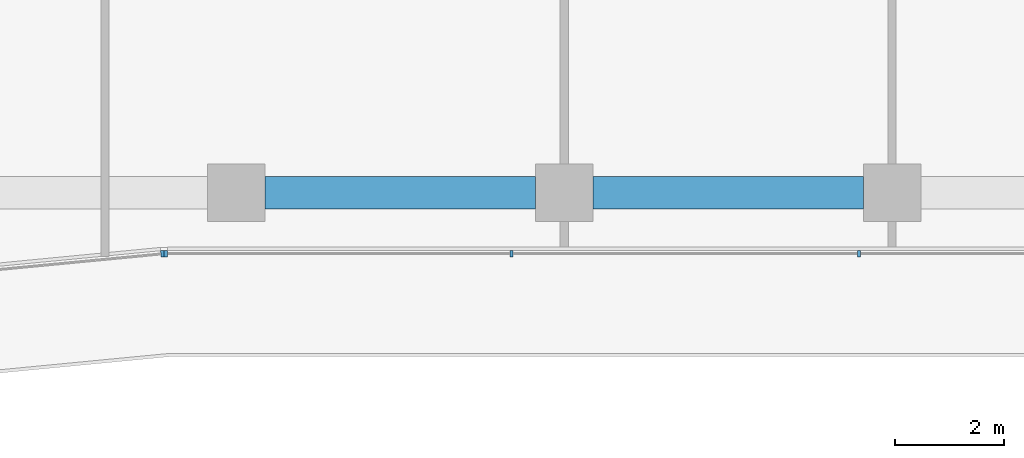
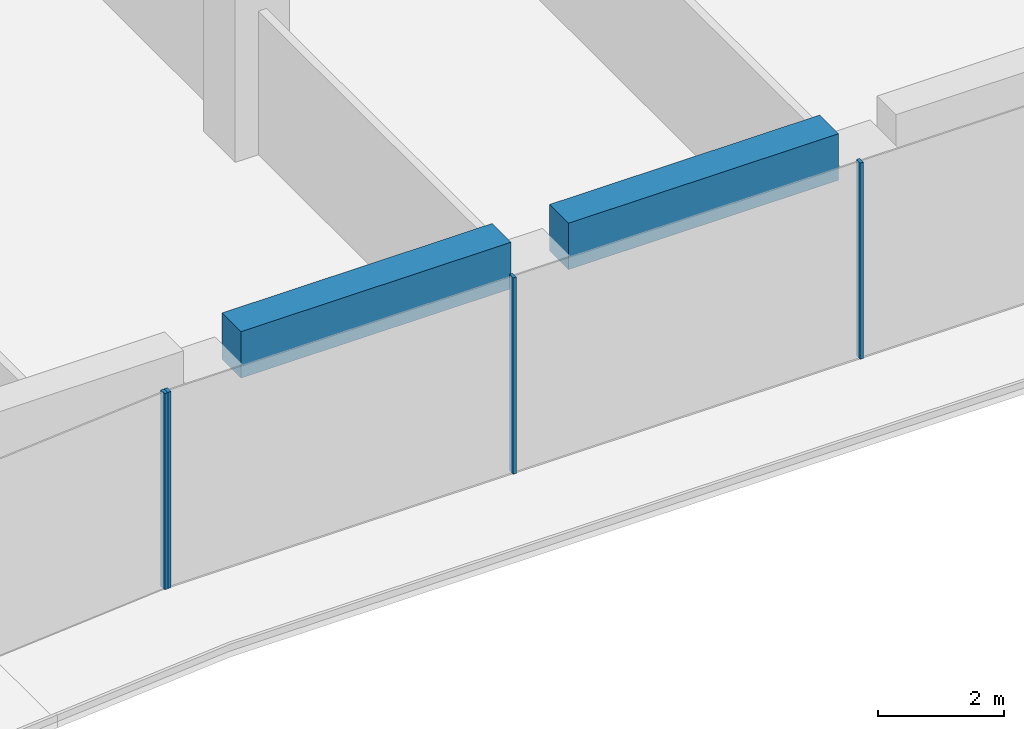
# One storey, part 6 of 30: 4 members, 2 beams, 2 elements without a shape of their own.
"""IFC4 building model written with IfcOpenShell, lengths in metres."""

import ifcopenshell
import ifcopenshell.guid

model = None  # the IFC model being written
_history = None  # IfcOwnerHistory: only IFC2X3 demands one
_inside = {}  # id of a spatial element -> (the spatial element, [elements in it])
_under = {}  # id of a project, library or spatial element -> (it, [spatial elements below it])
_declared = {}  # id of a project -> (the project, [libraries it declares])
_typed = {}  # id of a type object -> (the type object, [elements of that type])
_made_of = {}  # id of a material, layer set ... -> (it, [elements and type objects made of it])


def new_model(schema):
    """Start an empty IFC model of exactly this schema.

    Asked for "IFC4X3", IfcOpenShell would pick the latest addendum, in which some entities
    have other attributes; the version numbers below select the first issue.
    IFC2X3 requires an IfcOwnerHistory on every rooted entity: one is made here for all.
    """
    global model, _history
    if schema == "IFC4X3":
        model = ifcopenshell.file(schema_version=(4, 3, 0, 0))
    else:
        model = ifcopenshell.file(schema=schema)
    _inside.clear()
    _under.clear()
    _declared.clear()
    _typed.clear()
    _made_of.clear()
    _history = None
    if model.schema == "IFC2X3":
        org = make("IfcOrganization", Name="unknown")
        user = make(
            "IfcPersonAndOrganization",
            ThePerson=make("IfcPerson", FamilyName="unknown"),
            TheOrganization=org,
        )
        app = make(
            "IfcApplication",
            ApplicationDeveloper=org,
            Version="unknown",
            ApplicationFullName="unknown",
            ApplicationIdentifier="unknown",
        )
        _history = make(
            "IfcOwnerHistory",
            OwningUser=user,
            OwningApplication=app,
            ChangeAction="ADDED",
            CreationDate=0,
        )
    return model


def make(cls, **values):
    """One entity of the class cls with the attributes given. An attribute that is None is left unset."""
    return model.create_entity(
        cls, **{name: value for name, value in values.items() if value is not None}
    )


def rooted(cls, **values):
    """An entity with a GlobalId (a new one), such as an element, a storey or a relation."""
    return make(cls, GlobalId=ifcopenshell.guid.new(), OwnerHistory=_history, **values)


def si_unit(unit_type, name, prefix=None):
    """IfcSIUnit, for example si_unit("LENGTHUNIT", "METRE", prefix="MILLI")."""
    return make("IfcSIUnit", UnitType=unit_type, Prefix=prefix, Name=name)


def assignment(units):
    """IfcUnitAssignment: the units of a project."""
    return None if units is None else make("IfcUnitAssignment", Units=units)


def point(xyz):
    """IfcCartesianPoint."""
    return None if xyz is None else make("IfcCartesianPoint", Coordinates=xyz)


def direction(xyz):
    """IfcDirection."""
    return None if xyz is None else make("IfcDirection", DirectionRatios=xyz)


def frame(location, z_axis=None, x_axis=None):
    """IfcAxis2Placement3D, a coordinate frame: its origin and axes. An axis left out is left unset."""
    return make(
        "IfcAxis2Placement3D",
        Location=point(location),
        Axis=direction(z_axis),
        RefDirection=direction(x_axis),
    )


def frame_2d(location, x_axis=None):
    """IfcAxis2Placement2D, a coordinate frame in the plane: its origin and x axis."""
    return make(
        "IfcAxis2Placement2D", Location=point(location), RefDirection=direction(x_axis)
    )


def origin():
    """The frame at (0, 0, 0) with its axes left unset."""
    return frame((0.0, 0.0, 0.0))


def origin_2d():
    """The frame at (0, 0) in the plane with its x axis left unset."""
    return frame_2d((0.0, 0.0))


def place(relative_to, where):
    """IfcLocalPlacement: puts the frame where relative to a parent placement (None: the world)."""
    return make(
        "IfcLocalPlacement", PlacementRelTo=relative_to, RelativePlacement=where
    )


def context(
    kind, dimensions, precision=None, world=None, true_north=None, identifier=None
):
    """IfcGeometricRepresentationContext, for example the 3D "Model" context."""
    return make(
        "IfcGeometricRepresentationContext",
        ContextIdentifier=identifier,
        ContextType=kind,
        CoordinateSpaceDimension=dimensions,
        Precision=precision,
        WorldCoordinateSystem=world,
        TrueNorth=true_north,
    )


def subcontext(parent, identifier, kind, view, scale=None):
    """IfcGeometricRepresentationSubContext, for example "Body" below "Model"."""
    return make(
        "IfcGeometricRepresentationSubContext",
        ContextIdentifier=identifier,
        ContextType=kind,
        ParentContext=parent,
        TargetScale=scale,
        TargetView=view,
    )


def project(units=None, contexts=None):
    """IfcProject with its units and contexts."""
    return rooted(
        "IfcProject",
        Name="project",
        RepresentationContexts=contexts,
        UnitsInContext=assignment(units),
    )


def spatial(cls, under=None, at=None, **own):
    """A site, building, storey or space (cls), placed at a placement, below another one or the project."""
    s = rooted(cls, ObjectPlacement=at, **own)
    if under is not None:
        _under.setdefault(under.id(), (under, []))[1].append(s)
    return s


def profile(cls, at=None, kind="AREA", **sizes):
    """A parametric profile (cls). Its sizes go by their IFC names, for example OverallWidth=200.0."""
    return make(cls, ProfileType=kind, Position=at, **sizes)


def rectangle(**sizes):
    """IfcRectangleProfileDef."""
    return profile("IfcRectangleProfileDef", **sizes)


def extrude(swept, where, along, depth):
    """IfcExtrudedAreaSolid: the profile swept, set in the frame where, extruded along a direction by depth."""
    return make(
        "IfcExtrudedAreaSolid",
        SweptArea=swept,
        Position=where,
        ExtrudedDirection=direction(along),
        Depth=depth,
    )


def shape(context_of_items, identifier, shape_type, items):
    """IfcShapeRepresentation: the items that make up one representation, for example the "Body"."""
    return make(
        "IfcShapeRepresentation",
        ContextOfItems=context_of_items,
        RepresentationIdentifier=identifier,
        RepresentationType=shape_type,
        Items=items,
    )


def material(Name=None, Category=None):
    """IfcMaterial."""
    return make("IfcMaterial", Name=Name, Category=Category)


def layer(
    of_material, thickness, ventilated=None, Name=None, Category=None, Priority=None
):
    """IfcMaterialLayer: one layer of a wall or slab, of a material (None: an air gap)."""
    return make(
        "IfcMaterialLayer",
        Material=of_material,
        LayerThickness=thickness,
        IsVentilated=ventilated,
        Name=Name,
        Category=Category,
        Priority=Priority,
    )


def layer_set(layers, Name=None):
    """IfcMaterialLayerSet."""
    return make("IfcMaterialLayerSet", MaterialLayers=layers, LayerSetName=Name)


def material_profile(
    of_material, cross_section, Name=None, Category=None, Priority=None
):
    """IfcMaterialProfile: a cross section and its material."""
    return make(
        "IfcMaterialProfile",
        Name=Name,
        Material=of_material,
        Profile=cross_section,
        Priority=Priority,
        Category=Category,
    )


def profile_set(profiles, Name=None, composite=None):
    """IfcMaterialProfileSet."""
    return make(
        "IfcMaterialProfileSet",
        Name=Name,
        MaterialProfiles=profiles,
        CompositeProfile=composite,
    )


def made_of(thing, what):
    """Note that an element or type object is made of a material, layer set ...; save() writes the relation."""
    if what is not None:
        _made_of.setdefault(what.id(), (what, []))[1].append(thing)
    return thing


def type_object(cls, material=None, **own):
    """A type object (cls), such as IfcWallType, which elements share."""
    return made_of(rooted(cls, **own), material)


def element(
    cls,
    number,
    at=None,
    inside=None,
    cuts=None,
    type_object=None,
    material=None,
    context=None,
    identifier="Body",
    shape_type=None,
    held_by="IfcProductDefinitionShape",
    body=None,
    shapes=None,
    **own,
):
    """One element of the class cls, such as IfcWall. Its Tag is "e" and its number.

    at: its placement. inside: the storey or other place that contains it. cuts: it is an
    opening in that element (IfcRelVoidsElement). A single representation is given by context,
    identifier, shape_type and body (its items); several are given by shapes. held_by: the class
    of the entity that holds the representations. save() writes the other relations.
    """
    e = rooted(cls, Tag="e%d" % number, ObjectPlacement=at, **own)
    if body is not None:
        shapes = [shape(context, identifier, shape_type, body)]
    if shapes is not None:
        e.Representation = make(held_by, Representations=shapes)
    if inside is not None:
        _inside.setdefault(inside.id(), (inside, []))[1].append(e)
    if cuts is not None:
        rooted(
            "IfcRelVoidsElement", RelatingBuildingElement=cuts, RelatedOpeningElement=e
        )
    if type_object is not None:
        _typed.setdefault(type_object.id(), (type_object, []))[1].append(e)
    return made_of(e, material)


def aggregate(whole, parts):
    """IfcRelAggregates: a whole, such as a stair, and the parts it consists of."""
    return rooted("IfcRelAggregates", RelatingObject=whole, RelatedObjects=parts)


def save(model, path):
    """Write the relations noted so far, then the file.

    IfcRelAggregates (storeys below a building ...), IfcRelContainedInSpatialStructure (elements
    in a storey), IfcRelDefinesByType, IfcRelAssociatesMaterial and IfcRelDeclares: one each for
    every whole, place, type object, material and project.
    """
    for whole, parts in _under.values():
        aggregate(whole, parts)
    for where, things in _inside.values():
        rooted(
            "IfcRelContainedInSpatialStructure",
            RelatedElements=things,
            RelatingStructure=where,
        )
    for kind, things in _typed.values():
        rooted("IfcRelDefinesByType", RelatedObjects=things, RelatingType=kind)
    for what, things in _made_of.values():
        rooted("IfcRelAssociatesMaterial", RelatedObjects=things, RelatingMaterial=what)
    for by, libraries in _declared.values():
        rooted("IfcRelDeclares", RelatingContext=by, RelatedDefinitions=libraries)
    model.write(path)


model = new_model("IFC4")

# Units and contexts
model_context = context("Model", 3, precision=1e-05, world=origin(), true_north=direction((0.0, 1.0)))
body_context = subcontext(model_context, "Body", "Model", "MODEL_VIEW")
ifc_project = project(units=[si_unit("LENGTHUNIT", "METRE"), si_unit("AREAUNIT", "SQUARE_METRE"), si_unit("VOLUMEUNIT", "CUBIC_METRE"), si_unit("PLANEANGLEUNIT", "RADIAN"), si_unit("MASSUNIT", "GRAM", prefix="KILO")], contexts=[model_context])

# Site, building, storey
site_placement = place(None, origin())
site = spatial("IfcSite", under=ifc_project, at=site_placement, CompositionType="ELEMENT")
building_placement = place(site_placement, origin())
building = spatial("IfcBuilding", under=site, at=building_placement, Name="Welwitschia Terrace Campus", CompositionType="ELEMENT")
storey_placement = place(building_placement, frame((0.0, 0.0, 75.199951171875)))
storey = spatial("IfcBuildingStorey", under=building, at=storey_placement, Name="L17", CompositionType="ELEMENT", Elevation=75.199951171875)

# Curtain wall, member
ifc_material_1 = material(Name="Bronze anodised aluminium", Category="aluminium")
ifc_layer = layer(ifc_material_1, 0.1201171875)
ifc_layer_set = layer_set([ifc_layer], Name="Bronze anodised aluminium")
curtain_wall_type = type_object("IfcCurtainWallType", Name="Curtain wall CW2 tower 6000", PredefinedType="NOTDEFINED", material=ifc_layer_set)
curtain_wall_1_placement = place(storey_placement, origin())
curtain_wall_1 = element("IfcCurtainWall", 1, at=curtain_wall_1_placement, inside=storey, type_object=curtain_wall_type, Name="CW L17.2.0", PredefinedType="NOTDEFINED")
ifc_material_2 = material(Name="Bronze anodised aluminium", Category="aluminium")
ifc_material_profile_1 = material_profile(ifc_material_2, rectangle(XDim=0.1201171875, YDim=0.06005859375, at=origin_2d()))
ifc_profile_set_1 = profile_set([ifc_material_profile_1], Name="Bronze anodised aluminium")
member_type = type_object("IfcMemberType", Name="Mullion 60x120", PredefinedType="MULLION", material=ifc_profile_set_1)
member_1_placement = place(storey_placement, frame((28.65087890625, -5.116943359375, 0.0), z_axis=(0.0, 0.0, 1.0), x_axis=(-0.09584575252, 0.995396198367, 0.0)))
member_1 = element("IfcMember", 2, at=member_1_placement, type_object=member_type, Name="Mullion L17.2.0.3", PredefinedType="MULLION", context=body_context, shape_type="SweptSolid", body=[
    extrude(rectangle(XDim=0.1201171875, YDim=0.06005859375, at=origin_2d()), origin(), (0.0, 0.0, 1.0), 3.800048828125),
])
aggregate(curtain_wall_1, [member_1])

# Curtain wall, members
curtain_wall_2_placement = place(storey_placement, origin())
curtain_wall_2 = element("IfcCurtainWall", 3, at=curtain_wall_2_placement, inside=storey, type_object=curtain_wall_type, Name="CW L17.3.0", PredefinedType="NOTDEFINED")
member_2_placement = place(storey_placement, frame((28.710693359375, -5.114013671875, 0.0), z_axis=(0.0, 0.0, 1.0), x_axis=(0.0, 1.0, 0.0)))
member_2 = element("IfcMember", 4, at=member_2_placement, type_object=member_type, Name="Mullion L17.3.0.0", PredefinedType="MULLION", context=body_context, shape_type="SweptSolid", body=[
    extrude(rectangle(XDim=0.1201171875, YDim=0.06005859375, at=origin_2d()), origin(), (0.0, 0.0, 1.0), 3.800048828125),
])
member_3_placement = place(storey_placement, frame((35.036865234375, -5.114013671875, 0.0), z_axis=(0.0, 0.0, 1.0), x_axis=(0.0, 1.0, 0.0)))
member_3 = element("IfcMember", 5, at=member_3_placement, type_object=member_type, Name="Mullion L17.3.0.1", PredefinedType="MULLION", context=body_context, shape_type="SweptSolid", body=[
    extrude(rectangle(XDim=0.1201171875, YDim=0.06005859375, at=origin_2d()), origin(), (0.0, 0.0, 1.0), 3.800048828125),
])
member_4_placement = place(storey_placement, frame((41.39306640625, -5.114013671875, 0.0), z_axis=(0.0, 0.0, 1.0), x_axis=(0.0, 1.0, 0.0)))
member_4 = element("IfcMember", 6, at=member_4_placement, type_object=member_type, Name="Mullion L17.3.0.2", PredefinedType="MULLION", context=body_context, shape_type="SweptSolid", body=[
    extrude(rectangle(XDim=0.1201171875, YDim=0.06005859375, at=origin_2d()), origin(), (0.0, 0.0, 1.0), 3.800048828125),
])
aggregate(curtain_wall_2, [member_2, member_3, member_4])

# Beams
ifc_material_3 = material(Name="Concrete C60/75", Category="concrete")
ifc_material_profile_2 = material_profile(ifc_material_3, rectangle(XDim=0.60009765625, YDim=0.89990234375, at=origin_2d()))
ifc_profile_set_2 = profile_set([ifc_material_profile_2], Name="Concrete C60/75")
beam_type = type_object("IfcBeamType", Name="Ring spandrel 600x900", PredefinedType="SPANDREL", material=ifc_profile_set_2)
for number, where, z_axis, x_axis, name in (
    (7, (30.525390625, -4.0, 3.35009765625), (1.0, 0.0, 0.0), (0.0, 1.0, 0.0), "Spandrel SP2"),
    (8, (36.525390625, -4.0, 3.35009765625), (1.0, 0.0, 0.0), (0.0, 1.0, 0.0), "Spandrel SP2"),
):
    element("IfcBeam", number, at=place(storey_placement, frame(where, z_axis=z_axis, x_axis=x_axis)), inside=storey, type_object=beam_type, Name=name, PredefinedType="SPANDREL", context=body_context, shape_type="SweptSolid", body=[
        extrude(rectangle(XDim=0.60009765625, YDim=0.89990234375, at=origin_2d()), origin(), (0.0, 0.0, 1.0), 4.94921875),
    ])

save(model, "model.ifc")
